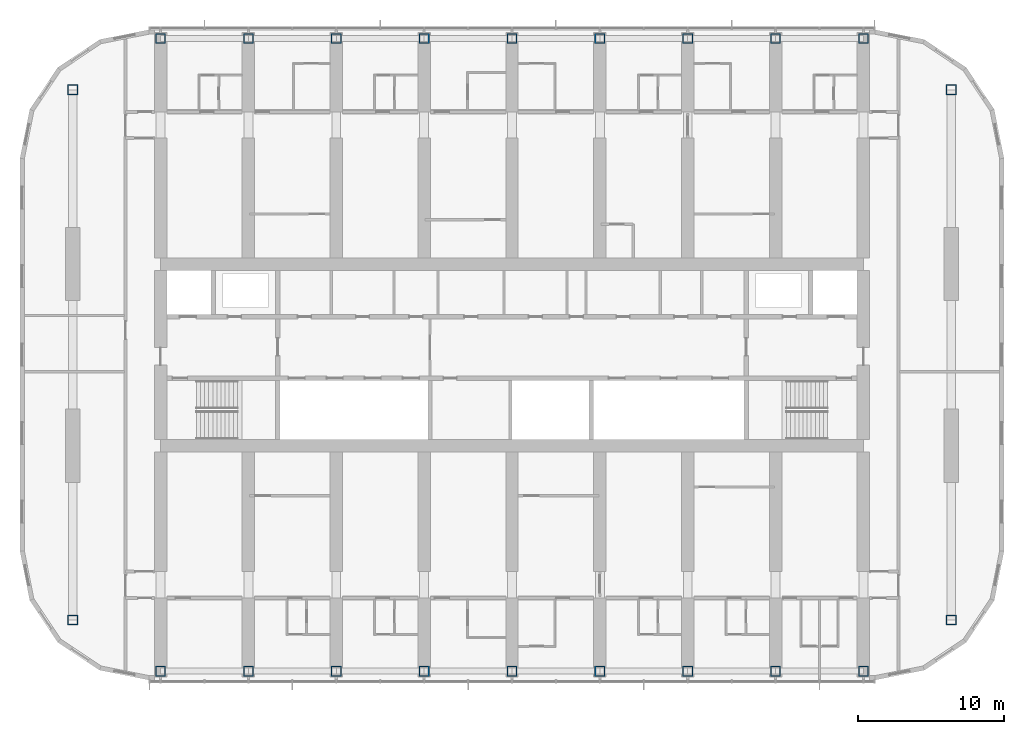
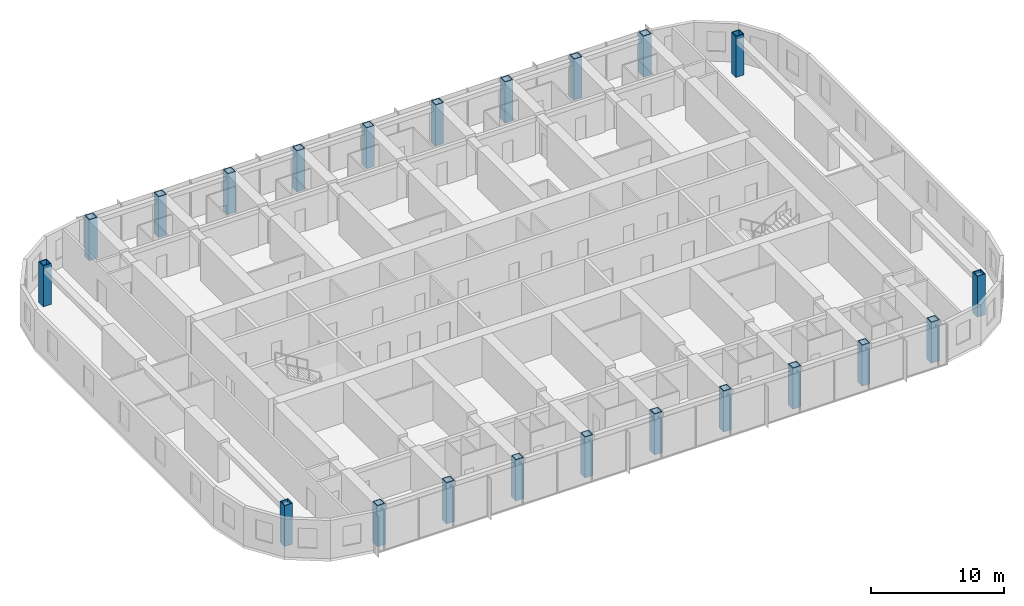
# One storey, part 1 of 22: 22 columns.
"""IFC4 building model written with IfcOpenShell, lengths in metres."""

from ifc_helpers import new_model, si_unit, direction, frame, origin, origin_2d, place, context, subcontext, project, spatial, hollow_rectangle, extrude, material, material_profile, profile_set, type_object, element, save


model = new_model("IFC4")

# Units and contexts
model_context = context("Model", 3, precision=1e-05, world=origin(), true_north=direction((0.0, 1.0)))
body_context = subcontext(model_context, "Body", "Model", "MODEL_VIEW")
ifc_project = project(units=[si_unit("LENGTHUNIT", "METRE"), si_unit("AREAUNIT", "SQUARE_METRE"), si_unit("VOLUMEUNIT", "CUBIC_METRE"), si_unit("PLANEANGLEUNIT", "RADIAN"), si_unit("MASSUNIT", "GRAM", prefix="KILO")], contexts=[model_context])

# Site, building, storey
site_placement = place(None, origin())
site = spatial("IfcSite", under=ifc_project, at=site_placement, CompositionType="ELEMENT")
building_placement = place(site_placement, origin())
building = spatial("IfcBuilding", under=site, at=building_placement, Name="Orbita Commons", CompositionType="ELEMENT")
storey_placement = place(building_placement, frame((0.0, 0.0, 186.10009765625)))
storey = spatial("IfcBuildingStorey", under=building, at=storey_placement, Name="L46", CompositionType="ELEMENT", Elevation=186.10009765625)

# Columns
ifc_material = material(Name="Steel ASTM A572 Gr 50 welded plate", Category="steel")
ifc_material_profile = material_profile(ifc_material, hollow_rectangle(XDim=0.699951171875, YDim=0.699951171875, WallThickness=0.070068359375, at=origin_2d()), Name="BOX 700x700x70")
ifc_profile_set = profile_set([ifc_material_profile], Name="Steel ASTM A572 Gr 50 welded plate")
column_type = type_object("IfcColumnType", Name="Steel column BOX 700x700x70", PredefinedType="COLUMN", material=ifc_profile_set)
for number, where, z_axis, x_axis, name in (
    (1, (18.0, 10.39990234375, 0.0), (0.0, 0.0, 1.0), (1.0, 0.0, 0.0), "Column 4/B L46"),
    (2, (18.0, 53.60009765625, 0.0), (0.0, 0.0, 1.0), (1.0, 0.0, 0.0), "Column 4/E L46"),
    (3, (24.0, 10.39990234375, 0.0), (0.0, 0.0, 1.0), (1.0, 0.0, 0.0), "Column 5/B L46"),
    (4, (24.0, 53.60009765625, 0.0), (0.0, 0.0, 1.0), (1.0, 0.0, 0.0), "Column 5/E L46"),
    (5, (30.0, 10.39990234375, 0.0), (0.0, 0.0, 1.0), (1.0, 0.0, 0.0), "Column 6/B L46"),
    (6, (30.0, 53.60009765625, 0.0), (0.0, 0.0, 1.0), (1.0, 0.0, 0.0), "Column 6/E L46"),
    (7, (36.0, 10.39990234375, 0.0), (0.0, 0.0, 1.0), (1.0, 0.0, 0.0), "Column 7/B L46"),
    (8, (36.0, 53.60009765625, 0.0), (0.0, 0.0, 1.0), (1.0, 0.0, 0.0), "Column 7/E L46"),
    (9, (42.0, 10.39990234375, 0.0), (0.0, 0.0, 1.0), (1.0, 0.0, 0.0), "Column 8/B L46"),
    (10, (42.0, 53.60009765625, 0.0), (0.0, 0.0, 1.0), (1.0, 0.0, 0.0), "Column 8/E L46"),
    (11, (48.0, 10.39990234375, 0.0), (0.0, 0.0, 1.0), (1.0, 0.0, 0.0), "Column 9/B L46"),
    (12, (48.0, 53.60009765625, 0.0), (0.0, 0.0, 1.0), (1.0, 0.0, 0.0), "Column 9/E L46"),
    (13, (54.0, 10.39990234375, 0.0), (0.0, 0.0, 1.0), (1.0, 0.0, 0.0), "Column 10/B L46"),
    (14, (54.0, 53.60009765625, 0.0), (0.0, 0.0, 1.0), (1.0, 0.0, 0.0), "Column 10/E L46"),
    (15, (60.0, 10.39990234375, 0.0), (0.0, 0.0, 1.0), (1.0, 0.0, 0.0), "Column 11/B L46"),
    (16, (60.0, 53.60009765625, 0.0), (0.0, 0.0, 1.0), (1.0, 0.0, 0.0), "Column 11/E L46"),
    (17, (66.0, 10.39990234375, 0.0), (0.0, 0.0, 1.0), (1.0, 0.0, 0.0), "Column 12/B L46"),
    (18, (66.0, 53.60009765625, 0.0), (0.0, 0.0, 1.0), (1.0, 0.0, 0.0), "Column 12/E L46"),
    (19, (12.0, 13.89990234375, 0.0), (0.0, 0.0, 1.0), (1.0, 0.0, 0.0), "Column 3/13.9 L46"),
    (20, (12.0, 50.10009765625, 0.0), (0.0, 0.0, 1.0), (1.0, 0.0, 0.0), "Column 3/50.1 L46"),
    (21, (72.0, 13.89990234375, 0.0), (0.0, 0.0, 1.0), (1.0, 0.0, 0.0), "Column 13/13.9 L46"),
    (22, (72.0, 50.10009765625, 0.0), (0.0, 0.0, 1.0), (1.0, 0.0, 0.0), "Column 13/50.1 L46"),
):
    element("IfcColumn", number, at=place(storey_placement, frame(where, z_axis=z_axis, x_axis=x_axis)), inside=storey, type_object=column_type, Name=name, PredefinedType="COLUMN", context=body_context, shape_type="SweptSolid", body=[
        extrude(hollow_rectangle(XDim=0.699951171875, YDim=0.699951171875, WallThickness=0.070068359375, at=origin_2d()), origin(), (0.0, 0.0, 1.0), 3.75),
    ])

save(model, "model.ifc")
